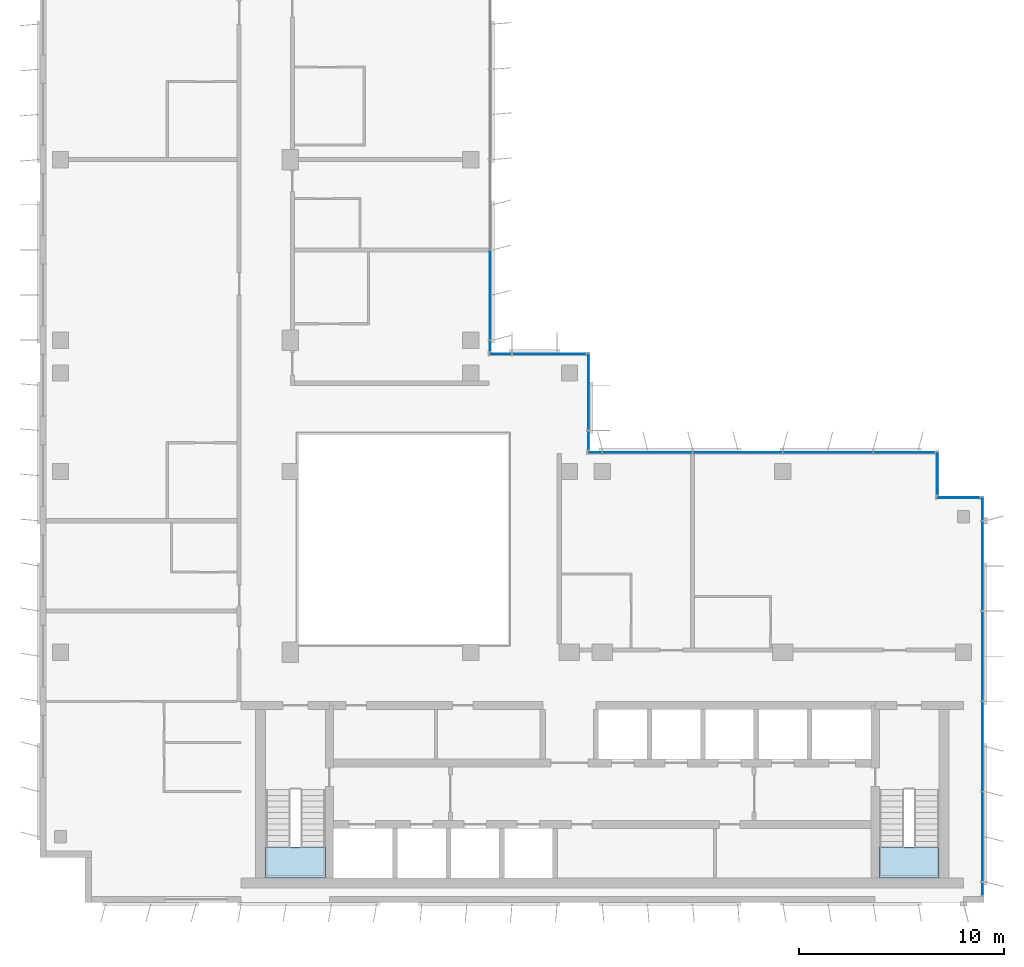
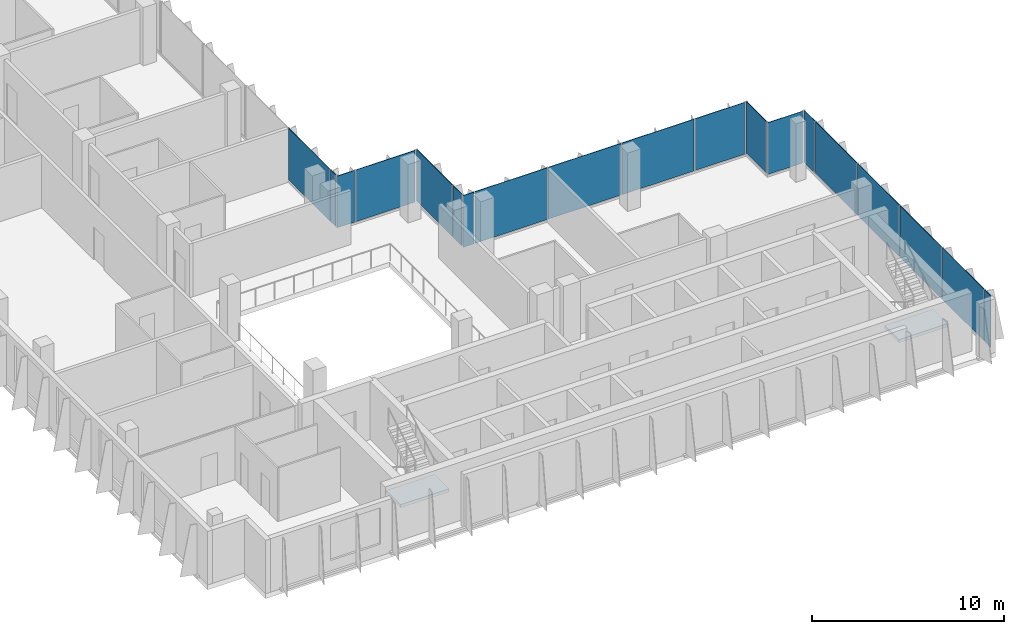
# One storey, part 7 of 15: 19 plates, 2 slabs, 9 elements without a shape of their own.
"""IFC4 building model written with IfcOpenShell, lengths in metres."""

from ifc_helpers import new_model, si_unit, direction, frame, origin, origin_2d, place, context, subcontext, project, spatial, polyline, rectangle, outline, extrude, source, transform, mapped, material, layer, layer_set, type_object, element, aggregate, save


model = new_model("IFC4")

# Units and contexts
model_context = context("Model", 3, precision=1e-05, world=origin(), true_north=direction((0.0, 1.0)))
body_context = subcontext(model_context, "Body", "Model", "MODEL_VIEW")
ifc_project = project(units=[si_unit("LENGTHUNIT", "METRE"), si_unit("AREAUNIT", "SQUARE_METRE"), si_unit("VOLUMEUNIT", "CUBIC_METRE"), si_unit("PLANEANGLEUNIT", "RADIAN"), si_unit("MASSUNIT", "GRAM", prefix="KILO")], contexts=[model_context])

# Site, building, storey
site_placement = place(None, origin())
site = spatial("IfcSite", under=ifc_project, at=site_placement, CompositionType="ELEMENT")
building_placement = place(site_placement, origin())
building = spatial("IfcBuilding", under=site, at=building_placement, Name="Kemantara Hotel Tower", CompositionType="ELEMENT")
storey_placement = place(building_placement, frame((0.0, 0.0, 230.199951171875)))
storey = spatial("IfcBuildingStorey", under=building, at=storey_placement, Name="L57", CompositionType="ELEMENT", Elevation=230.199951171875)

# Stair, slab
ifc_material_1 = material(Name="Concrete fc 40 MPa", Category="concrete")
stair_type = type_object("IfcStairType", Name="Stair 1200 wide 22 risers of 168 x 280 mm", PredefinedType="HALF_TURN_STAIR", material=ifc_material_1)
stair_1_placement = place(storey_placement, origin())
stair_1 = element("IfcStair", 1, at=stair_1_placement, inside=storey, type_object=stair_type, Name="L57 Exit stair ST1", PredefinedType="HALF_TURN_STAIR")
ifc_layer_1 = layer(ifc_material_1, 0.199951171875)
ifc_layer_set_1 = layer_set([ifc_layer_1], Name="Concrete fc 40 MPa")
slab_type = type_object("IfcSlabType", Name="Stair landing 200 mm", PredefinedType="LANDING", material=ifc_layer_set_1)
slab_1_placement = place(storey_placement, frame((0.0, 0.0, 1.650146484375)))
slab_1 = element("IfcSlab", 2, at=slab_1_placement, type_object=slab_type, Name="ST1 landing 1", PredefinedType="LANDING", context=body_context, shape_type="SweptSolid", body=[
    extrude(outline(polyline([(11.0, 2.699951171875), (11.0, 1.199951171875), (13.89990234375, 1.199951171875), (13.89990234375, 2.699951171875), (11.0, 2.699951171875)])), origin(), (0.0, 0.0, 1.0), 0.199951171875),
])
aggregate(stair_1, [slab_1])

stair_2_placement = place(storey_placement, origin())
stair_2 = element("IfcStair", 3, at=stair_2_placement, inside=storey, type_object=stair_type, Name="L57 Exit stair ST2", PredefinedType="HALF_TURN_STAIR")
slab_2_placement = place(storey_placement, frame((0.0, 0.0, 1.650146484375)))
slab_2 = element("IfcSlab", 4, at=slab_2_placement, type_object=slab_type, Name="ST2 landing 1", PredefinedType="LANDING", context=body_context, shape_type="SweptSolid", body=[
    extrude(outline(polyline([(40.89990234375, 2.699951171875), (40.89990234375, 1.199951171875), (43.800048828125, 1.199951171875), (43.800048828125, 2.699951171875), (40.89990234375, 2.699951171875)])), origin(), (0.0, 0.0, 1.0), 0.199951171875),
])
aggregate(stair_2, [slab_2])

# Curtain wall, plates
ifc_material_2 = material(Name="Low-E tinted double insulated glass 36 mm", Category="glass")
curtain_wall_type = type_object("IfcCurtainWallType", Name="TOWER CURTAIN WALL, FRONT FACES", PredefinedType="USERDEFINED", material=ifc_material_2)
curtain_wall_1_placement = place(storey_placement, origin())
curtain_wall_1 = element("IfcCurtainWall", 5, at=curtain_wall_1_placement, inside=storey, type_object=curtain_wall_type, Name="CW4 L57 T4-R09-1", ObjectType="TOWER CURTAIN WALL, FRONT FACES", PredefinedType="USERDEFINED")
ifc_layer_2 = layer(ifc_material_2, 0.035888671875)
ifc_layer_set_2 = layer_set([ifc_layer_2], Name="Low-E tinted double insulated glass 36 mm")
plate_type = type_object("IfcPlateType", Name="TOWER CURTAIN WALL, FRONT FACES PANEL", PredefinedType="CURTAIN_PANEL", material=ifc_layer_set_2)
shared_shape_1 = source(origin(), body_context, "Body", "SweptSolid", [
    extrude(rectangle(XDim=4.340087890625, YDim=0.035888671875, at=origin_2d()), origin(), (0.0, 0.0, 1.0), 3.280029296875),
])
plate_1_placement = place(storey_placement, frame((45.925048828125, 3.199951171875, 0.1201171875), z_axis=(0.0, 0.0, 1.0), x_axis=(0.0, 1.0, 0.0)))
plate_1 = element("IfcPlate", 6, at=plate_1_placement, type_object=plate_type, Name="CW4 glass panel T4-R09-1.2", PredefinedType="CURTAIN_PANEL", context=body_context, shape_type="MappedRepresentation", body=[
    mapped(shared_shape_1, transform((0.0, 0.0, 0.0))),
])
plate_2_placement = place(storey_placement, frame((45.925048828125, 7.60009765625, 0.1201171875), z_axis=(0.0, 0.0, 1.0), x_axis=(0.0, 1.0, 0.0)))
plate_2 = element("IfcPlate", 7, at=plate_2_placement, type_object=plate_type, Name="CW4 glass panel T4-R09-1.3", PredefinedType="CURTAIN_PANEL", context=body_context, shape_type="MappedRepresentation", body=[
    mapped(shared_shape_1, transform((0.0, 0.0, 0.0))),
])
plate_3_placement = place(storey_placement, frame((45.925048828125, 12.0, 0.1201171875), z_axis=(0.0, 0.0, 1.0), x_axis=(0.0, 1.0, 0.0)))
plate_3 = element("IfcPlate", 8, at=plate_3_placement, type_object=plate_type, Name="CW4 glass panel T4-R09-1.4", PredefinedType="CURTAIN_PANEL", context=body_context, shape_type="MappedRepresentation", body=[
    mapped(shared_shape_1, transform((0.0, 0.0, 0.0))),
])
plate_4_placement = place(storey_placement, frame((45.925048828125, 16.39990234375, 0.1201171875), z_axis=(0.0, 0.0, 1.0), x_axis=(0.0, 1.0, 0.0)))
plate_4 = element("IfcPlate", 9, at=plate_4_placement, type_object=plate_type, Name="CW4 glass panel T4-R09-1.5", PredefinedType="CURTAIN_PANEL", context=body_context, shape_type="MappedRepresentation", body=[
    mapped(shared_shape_1, transform((0.0, 0.0, 0.0))),
])

curtain_wall_2_placement = place(storey_placement, origin())
curtain_wall_2 = element("IfcCurtainWall", 10, at=curtain_wall_2_placement, inside=storey, type_object=curtain_wall_type, Name="CW4 L57 T4-R12-1", ObjectType="TOWER CURTAIN WALL, FRONT FACES", PredefinedType="USERDEFINED")
plate_5_placement = place(storey_placement, frame((38.39990234375, 21.925048828125, 0.1201171875), z_axis=(0.0, 0.0, 1.0), x_axis=(-1.0, 0.0, 0.0)))
plate_5 = element("IfcPlate", 11, at=plate_5_placement, type_object=plate_type, Name="CW4 glass panel T4-R12-1.2", PredefinedType="CURTAIN_PANEL", context=body_context, shape_type="MappedRepresentation", body=[
    mapped(shared_shape_1, transform((0.0, 0.0, 0.0))),
])
plate_6_placement = place(storey_placement, frame((34.0, 21.925048828125, 0.1201171875), z_axis=(0.0, 0.0, 1.0), x_axis=(-1.0, 0.0, 0.0)))
plate_6 = element("IfcPlate", 12, at=plate_6_placement, type_object=plate_type, Name="CW4 glass panel T4-R12-1.3", PredefinedType="CURTAIN_PANEL", context=body_context, shape_type="MappedRepresentation", body=[
    mapped(shared_shape_1, transform((0.0, 0.0, 0.0))),
])
plate_7_placement = place(storey_placement, frame((29.60009765625, 21.925048828125, 0.1201171875), z_axis=(0.0, 0.0, 1.0), x_axis=(-1.0, 0.0, 0.0)))
plate_7 = element("IfcPlate", 13, at=plate_7_placement, type_object=plate_type, Name="CW4 glass panel T4-R12-1.4", PredefinedType="CURTAIN_PANEL", context=body_context, shape_type="MappedRepresentation", body=[
    mapped(shared_shape_1, transform((0.0, 0.0, 0.0))),
])

# Curtain wall, plate
curtain_wall_3_placement = place(storey_placement, origin())
curtain_wall_3 = element("IfcCurtainWall", 14, at=curtain_wall_3_placement, inside=storey, type_object=curtain_wall_type, Name="CW4 L57 T4-R15-1", ObjectType="TOWER CURTAIN WALL, FRONT FACES", PredefinedType="USERDEFINED")
plate_8_placement = place(storey_placement, frame((21.925048828125, 29.60009765625, 0.1201171875), z_axis=(0.0, 0.0, 1.0), x_axis=(0.0, 1.0, 0.0)))
plate_8 = element("IfcPlate", 15, at=plate_8_placement, type_object=plate_type, Name="CW4 glass panel T4-R15-1.2", PredefinedType="CURTAIN_PANEL", context=body_context, shape_type="MappedRepresentation", body=[
    mapped(shared_shape_1, transform((0.0, 0.0, 0.0))),
])

curtain_wall_4_placement = place(storey_placement, origin())
curtain_wall_4 = element("IfcCurtainWall", 16, at=curtain_wall_4_placement, inside=storey, type_object=curtain_wall_type, Name="CW4 L57 T4-R10-1", ObjectType="TOWER CURTAIN WALL, FRONT FACES", PredefinedType="USERDEFINED")
shared_shape_2 = source(origin(), body_context, "Body", "SweptSolid", [
    extrude(rectangle(XDim=2.080078125, YDim=0.035888671875, at=origin_2d()), origin(), (0.0, 0.0, 1.0), 3.280029296875),
])
plate_9_placement = place(storey_placement, frame((44.75, 19.72509765625, 0.1201171875), z_axis=(0.0, 0.0, 1.0), x_axis=(-1.0, 0.0, 0.0)))
plate_9 = element("IfcPlate", 17, at=plate_9_placement, type_object=plate_type, Name="CW4 glass panel T4-R10-1.1", PredefinedType="CURTAIN_PANEL", context=body_context, shape_type="MappedRepresentation", body=[
    mapped(shared_shape_2, transform((0.0, 0.0, 0.0))),
])
aggregate(curtain_wall_4, [plate_9])

curtain_wall_5_placement = place(storey_placement, origin())
curtain_wall_5 = element("IfcCurtainWall", 18, at=curtain_wall_5_placement, inside=storey, type_object=curtain_wall_type, Name="CW4 L57 T4-R11-1", ObjectType="TOWER CURTAIN WALL, FRONT FACES", PredefinedType="USERDEFINED")
plate_10_placement = place(storey_placement, frame((43.72509765625, 20.89990234375, 0.1201171875), z_axis=(0.0, 0.0, 1.0), x_axis=(0.0, 1.0, 0.0)))
plate_10 = element("IfcPlate", 19, at=plate_10_placement, type_object=plate_type, Name="CW4 glass panel T4-R11-1.1", PredefinedType="CURTAIN_PANEL", context=body_context, shape_type="MappedRepresentation", body=[
    mapped(shared_shape_2, transform((0.0, 0.0, 0.0))),
])
aggregate(curtain_wall_5, [plate_10])

# Plate
shared_shape_3 = source(origin(), body_context, "Body", "SweptSolid", [
    extrude(rectangle(XDim=2.9599609375, YDim=0.035888671875, at=origin_2d()), origin(), (0.0, 0.0, 1.0), 3.280029296875),
])
plate_11_placement = place(storey_placement, frame((42.110107421875, 21.925048828125, 0.1201171875), z_axis=(0.0, 0.0, 1.0), x_axis=(-1.0, 0.0, 0.0)))
plate_11 = element("IfcPlate", 20, at=plate_11_placement, type_object=plate_type, Name="CW4 glass panel T4-R12-1.1", PredefinedType="CURTAIN_PANEL", context=body_context, shape_type="MappedRepresentation", body=[
    mapped(shared_shape_3, transform((0.0, 0.0, 0.0))),
])

shared_shape_4 = source(origin(), body_context, "Body", "SweptSolid", [
    extrude(rectangle(XDim=0.659912109375, YDim=0.035888671875, at=origin_2d()), origin(), (0.0, 0.0, 1.0), 3.280029296875),
])
plate_12_placement = place(storey_placement, frame((27.0400390625, 21.925048828125, 0.1201171875), z_axis=(0.0, 0.0, 1.0), x_axis=(-1.0, 0.0, 0.0)))
plate_12 = element("IfcPlate", 21, at=plate_12_placement, type_object=plate_type, Name="CW4 glass panel T4-R12-1.5", PredefinedType="CURTAIN_PANEL", context=body_context, shape_type="MappedRepresentation", body=[
    mapped(shared_shape_4, transform((0.0, 0.0, 0.0))),
])

aggregate(curtain_wall_2, [plate_11, plate_5, plate_6, plate_7, plate_12])

shared_shape_5 = source(origin(), body_context, "Body", "SweptSolid", [
    extrude(rectangle(XDim=0.510009765625, YDim=0.035888671875, at=origin_2d()), origin(), (0.0, 0.0, 1.0), 3.280029296875),
])
plate_13_placement = place(storey_placement, frame((21.925048828125, 27.114990234375, 0.1201171875), z_axis=(0.0, 0.0, 1.0), x_axis=(0.0, 1.0, 0.0)))
plate_13 = element("IfcPlate", 22, at=plate_13_placement, type_object=plate_type, Name="CW4 glass panel T4-R15-1.1", PredefinedType="CURTAIN_PANEL", context=body_context, shape_type="MappedRepresentation", body=[
    mapped(shared_shape_5, transform((0.0, 0.0, 0.0))),
])

aggregate(curtain_wall_3, [plate_13, plate_8])

# Curtain wall, plate
curtain_wall_6_placement = place(storey_placement, origin())
curtain_wall_6 = element("IfcCurtainWall", 23, at=curtain_wall_6_placement, inside=storey, type_object=curtain_wall_type, Name="CW4 L57 T4-R13-1", ObjectType="TOWER CURTAIN WALL, FRONT FACES", PredefinedType="USERDEFINED")
shared_shape_6 = source(origin(), body_context, "Body", "SweptSolid", [
    extrude(rectangle(XDim=0.909912109375, YDim=0.035888671875, at=origin_2d()), origin(), (0.0, 0.0, 1.0), 3.280029296875),
])
plate_14_placement = place(storey_placement, frame((26.72509765625, 22.514892578125, 0.1201171875), z_axis=(0.0, 0.0, 1.0), x_axis=(0.0, 1.0, 0.0)))
plate_14 = element("IfcPlate", 24, at=plate_14_placement, type_object=plate_type, Name="CW4 glass panel T4-R13-1.1", PredefinedType="CURTAIN_PANEL", context=body_context, shape_type="MappedRepresentation", body=[
    mapped(shared_shape_6, transform((0.0, 0.0, 0.0))),
])

# Plate
shared_shape_7 = source(origin(), body_context, "Body", "SweptSolid", [
    extrude(rectangle(XDim=1.110107421875, YDim=0.035888671875, at=origin_2d()), origin(), (0.0, 0.0, 1.0), 3.280029296875),
])
plate_15_placement = place(storey_placement, frame((45.925048828125, 19.18505859375, 0.1201171875), z_axis=(0.0, 0.0, 1.0), x_axis=(0.0, 1.0, 0.0)))
plate_15 = element("IfcPlate", 25, at=plate_15_placement, type_object=plate_type, Name="CW4 glass panel T4-R09-1.6", PredefinedType="CURTAIN_PANEL", context=body_context, shape_type="MappedRepresentation", body=[
    mapped(shared_shape_7, transform((0.0, 0.0, 0.0))),
])

shared_shape_8 = source(origin(), body_context, "Body", "SweptSolid", [
    extrude(rectangle(XDim=3.7099609375, YDim=0.035888671875, at=origin_2d()), origin(), (0.0, 0.0, 1.0), 3.280029296875),
])
plate_16_placement = place(storey_placement, frame((26.72509765625, 24.885009765625, 0.1201171875), z_axis=(0.0, 0.0, 1.0), x_axis=(0.0, 1.0, 0.0)))
plate_16 = element("IfcPlate", 26, at=plate_16_placement, type_object=plate_type, Name="CW4 glass panel T4-R13-1.2", PredefinedType="CURTAIN_PANEL", context=body_context, shape_type="MappedRepresentation", body=[
    mapped(shared_shape_8, transform((0.0, 0.0, 0.0))),
])

aggregate(curtain_wall_6, [plate_14, plate_16])

# Curtain wall, plates
curtain_wall_7_placement = place(storey_placement, origin())
curtain_wall_7 = element("IfcCurtainWall", 27, at=curtain_wall_7_placement, inside=storey, type_object=curtain_wall_type, Name="CW4 L57 T4-R14-1", ObjectType="TOWER CURTAIN WALL, FRONT FACES", PredefinedType="USERDEFINED")
shared_shape_9 = source(origin(), body_context, "Body", "SweptSolid", [
    extrude(rectangle(XDim=3.56005859375, YDim=0.035888671875, at=origin_2d()), origin(), (0.0, 0.0, 1.0), 3.280029296875),
])
plate_17_placement = place(storey_placement, frame((24.81005859375, 26.72509765625, 0.1201171875), z_axis=(0.0, 0.0, 1.0), x_axis=(-1.0, 0.0, 0.0)))
plate_17 = element("IfcPlate", 28, at=plate_17_placement, type_object=plate_type, Name="CW4 glass panel T4-R14-1.1", PredefinedType="CURTAIN_PANEL", context=body_context, shape_type="MappedRepresentation", body=[
    mapped(shared_shape_9, transform((0.0, 0.0, 0.0))),
])
shared_shape_10 = source(origin(), body_context, "Body", "SweptSolid", [
    extrude(rectangle(XDim=1.06005859375, YDim=0.035888671875, at=origin_2d()), origin(), (0.0, 0.0, 1.0), 3.280029296875),
])
plate_18_placement = place(storey_placement, frame((22.43994140625, 26.72509765625, 0.1201171875), z_axis=(0.0, 0.0, 1.0), x_axis=(-1.0, 0.0, 0.0)))
plate_18 = element("IfcPlate", 29, at=plate_18_placement, type_object=plate_type, Name="CW4 glass panel T4-R14-1.2", PredefinedType="CURTAIN_PANEL", context=body_context, shape_type="MappedRepresentation", body=[
    mapped(shared_shape_10, transform((0.0, 0.0, 0.0))),
])
aggregate(curtain_wall_7, [plate_17, plate_18])

# Plate
shared_shape_11 = source(origin(), body_context, "Body", "SweptSolid", [
    extrude(rectangle(XDim=0.610107421875, YDim=0.035888671875, at=origin_2d()), origin(), (0.0, 0.0, 1.0), 3.280029296875),
])
plate_19_placement = place(storey_placement, frame((45.925048828125, 0.6650390625, 0.1201171875), z_axis=(0.0, 0.0, 1.0), x_axis=(0.0, 1.0, 0.0)))
plate_19 = element("IfcPlate", 30, at=plate_19_placement, type_object=plate_type, Name="CW4 glass panel T4-R09-1.1", PredefinedType="CURTAIN_PANEL", context=body_context, shape_type="MappedRepresentation", body=[
    mapped(shared_shape_11, transform((0.0, 0.0, 0.0))),
])

aggregate(curtain_wall_1, [plate_19, plate_1, plate_2, plate_3, plate_4, plate_15])

save(model, "model.ifc")
